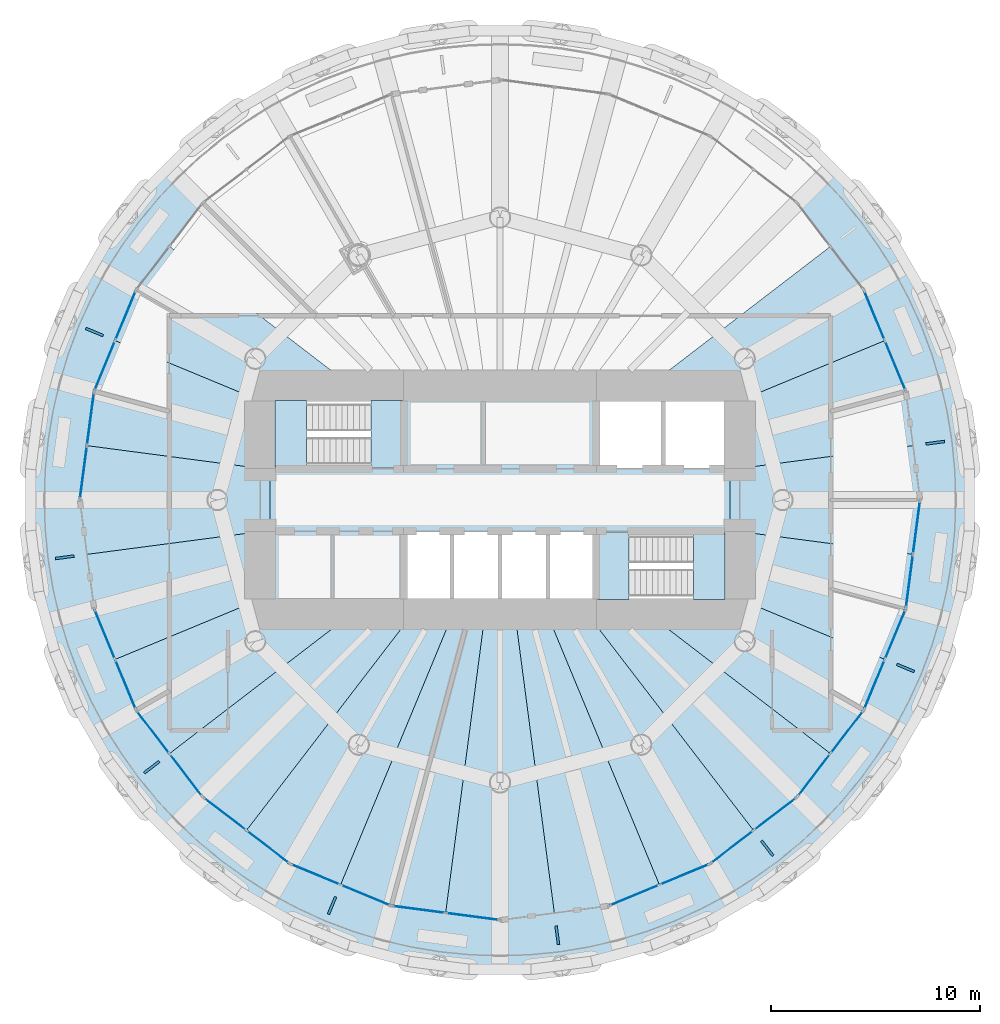
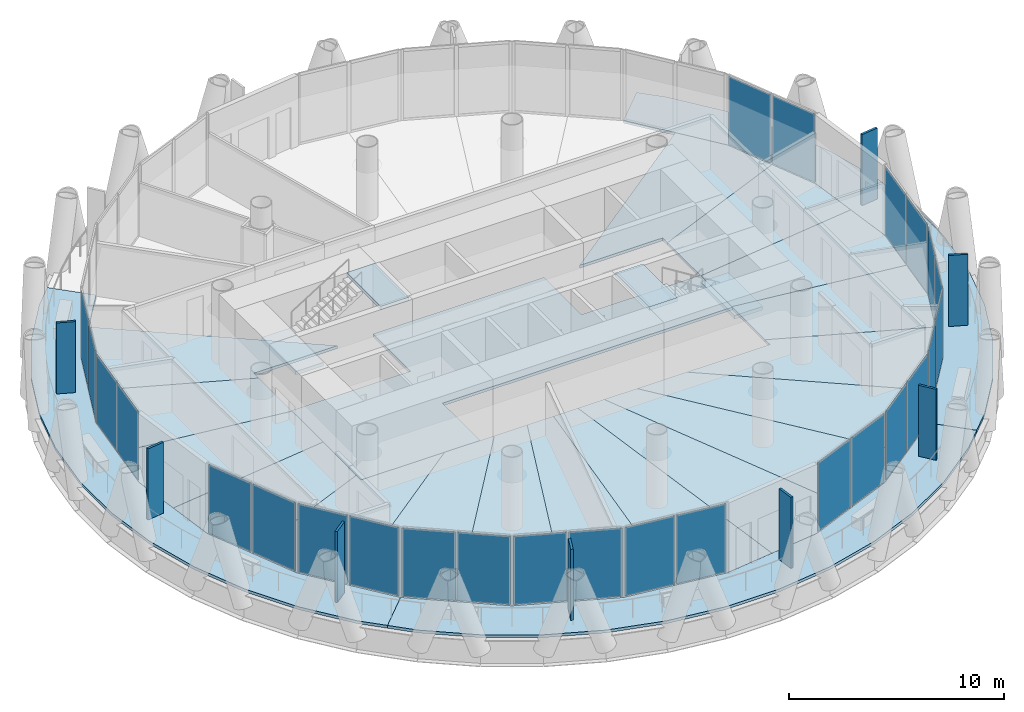
# One storey, part 8 of 15: 34 plates, 25 slabs, 15 elements without a shape of their own.
"""IFC4 building model written with IfcOpenShell, lengths in metres."""

import ifcopenshell
import ifcopenshell.guid

model = None  # the IFC model being written
_history = None  # IfcOwnerHistory: only IFC2X3 demands one
_inside = {}  # id of a spatial element -> (the spatial element, [elements in it])
_under = {}  # id of a project, library or spatial element -> (it, [spatial elements below it])
_declared = {}  # id of a project -> (the project, [libraries it declares])
_typed = {}  # id of a type object -> (the type object, [elements of that type])
_made_of = {}  # id of a material, layer set ... -> (it, [elements and type objects made of it])


def new_model(schema):
    """Start an empty IFC model of exactly this schema.

    Asked for "IFC4X3", IfcOpenShell would pick the latest addendum, in which some entities
    have other attributes; the version numbers below select the first issue.
    IFC2X3 requires an IfcOwnerHistory on every rooted entity: one is made here for all.
    """
    global model, _history
    if schema == "IFC4X3":
        model = ifcopenshell.file(schema_version=(4, 3, 0, 0))
    else:
        model = ifcopenshell.file(schema=schema)
    _inside.clear()
    _under.clear()
    _declared.clear()
    _typed.clear()
    _made_of.clear()
    _history = None
    if model.schema == "IFC2X3":
        org = make("IfcOrganization", Name="unknown")
        user = make(
            "IfcPersonAndOrganization",
            ThePerson=make("IfcPerson", FamilyName="unknown"),
            TheOrganization=org,
        )
        app = make(
            "IfcApplication",
            ApplicationDeveloper=org,
            Version="unknown",
            ApplicationFullName="unknown",
            ApplicationIdentifier="unknown",
        )
        _history = make(
            "IfcOwnerHistory",
            OwningUser=user,
            OwningApplication=app,
            ChangeAction="ADDED",
            CreationDate=0,
        )
    return model


def make(cls, **values):
    """One entity of the class cls with the attributes given. An attribute that is None is left unset."""
    return model.create_entity(
        cls, **{name: value for name, value in values.items() if value is not None}
    )


def rooted(cls, **values):
    """An entity with a GlobalId (a new one), such as an element, a storey or a relation."""
    return make(cls, GlobalId=ifcopenshell.guid.new(), OwnerHistory=_history, **values)


def si_unit(unit_type, name, prefix=None):
    """IfcSIUnit, for example si_unit("LENGTHUNIT", "METRE", prefix="MILLI")."""
    return make("IfcSIUnit", UnitType=unit_type, Prefix=prefix, Name=name)


def assignment(units):
    """IfcUnitAssignment: the units of a project."""
    return None if units is None else make("IfcUnitAssignment", Units=units)


def point(xyz):
    """IfcCartesianPoint."""
    return None if xyz is None else make("IfcCartesianPoint", Coordinates=xyz)


def direction(xyz):
    """IfcDirection."""
    return None if xyz is None else make("IfcDirection", DirectionRatios=xyz)


def frame(location, z_axis=None, x_axis=None):
    """IfcAxis2Placement3D, a coordinate frame: its origin and axes. An axis left out is left unset."""
    return make(
        "IfcAxis2Placement3D",
        Location=point(location),
        Axis=direction(z_axis),
        RefDirection=direction(x_axis),
    )


def frame_2d(location, x_axis=None):
    """IfcAxis2Placement2D, a coordinate frame in the plane: its origin and x axis."""
    return make(
        "IfcAxis2Placement2D", Location=point(location), RefDirection=direction(x_axis)
    )


def origin():
    """The frame at (0, 0, 0) with its axes left unset."""
    return frame((0.0, 0.0, 0.0))


def origin_2d():
    """The frame at (0, 0) in the plane with its x axis left unset."""
    return frame_2d((0.0, 0.0))


def place(relative_to, where):
    """IfcLocalPlacement: puts the frame where relative to a parent placement (None: the world)."""
    return make(
        "IfcLocalPlacement", PlacementRelTo=relative_to, RelativePlacement=where
    )


def context(
    kind, dimensions, precision=None, world=None, true_north=None, identifier=None
):
    """IfcGeometricRepresentationContext, for example the 3D "Model" context."""
    return make(
        "IfcGeometricRepresentationContext",
        ContextIdentifier=identifier,
        ContextType=kind,
        CoordinateSpaceDimension=dimensions,
        Precision=precision,
        WorldCoordinateSystem=world,
        TrueNorth=true_north,
    )


def subcontext(parent, identifier, kind, view, scale=None):
    """IfcGeometricRepresentationSubContext, for example "Body" below "Model"."""
    return make(
        "IfcGeometricRepresentationSubContext",
        ContextIdentifier=identifier,
        ContextType=kind,
        ParentContext=parent,
        TargetScale=scale,
        TargetView=view,
    )


def project(units=None, contexts=None):
    """IfcProject with its units and contexts."""
    return rooted(
        "IfcProject",
        Name="project",
        RepresentationContexts=contexts,
        UnitsInContext=assignment(units),
    )


def spatial(cls, under=None, at=None, **own):
    """A site, building, storey or space (cls), placed at a placement, below another one or the project."""
    s = rooted(cls, ObjectPlacement=at, **own)
    if under is not None:
        _under.setdefault(under.id(), (under, []))[1].append(s)
    return s


def polyline(points):
    """IfcPolyline through the points."""
    return make("IfcPolyline", Points=[point(p) for p in points])


def profile(cls, at=None, kind="AREA", **sizes):
    """A parametric profile (cls). Its sizes go by their IFC names, for example OverallWidth=200.0."""
    return make(cls, ProfileType=kind, Position=at, **sizes)


def rectangle(**sizes):
    """IfcRectangleProfileDef."""
    return profile("IfcRectangleProfileDef", **sizes)


def outline(outer, holes=None, kind="AREA"):
    """IfcArbitraryClosedProfileDef: a profile drawn as a closed curve; with holes, ...WithVoids."""
    if holes is None:
        return make("IfcArbitraryClosedProfileDef", ProfileType=kind, OuterCurve=outer)
    return make(
        "IfcArbitraryProfileDefWithVoids",
        ProfileType=kind,
        OuterCurve=outer,
        InnerCurves=holes,
    )


def extrude(swept, where, along, depth):
    """IfcExtrudedAreaSolid: the profile swept, set in the frame where, extruded along a direction by depth."""
    return make(
        "IfcExtrudedAreaSolid",
        SweptArea=swept,
        Position=where,
        ExtrudedDirection=direction(along),
        Depth=depth,
    )


def shape(context_of_items, identifier, shape_type, items):
    """IfcShapeRepresentation: the items that make up one representation, for example the "Body"."""
    return make(
        "IfcShapeRepresentation",
        ContextOfItems=context_of_items,
        RepresentationIdentifier=identifier,
        RepresentationType=shape_type,
        Items=items,
    )


def material(Name=None, Category=None):
    """IfcMaterial."""
    return make("IfcMaterial", Name=Name, Category=Category)


def layer(
    of_material, thickness, ventilated=None, Name=None, Category=None, Priority=None
):
    """IfcMaterialLayer: one layer of a wall or slab, of a material (None: an air gap)."""
    return make(
        "IfcMaterialLayer",
        Material=of_material,
        LayerThickness=thickness,
        IsVentilated=ventilated,
        Name=Name,
        Category=Category,
        Priority=Priority,
    )


def layer_set(layers, Name=None):
    """IfcMaterialLayerSet."""
    return make("IfcMaterialLayerSet", MaterialLayers=layers, LayerSetName=Name)


def made_of(thing, what):
    """Note that an element or type object is made of a material, layer set ...; save() writes the relation."""
    if what is not None:
        _made_of.setdefault(what.id(), (what, []))[1].append(thing)
    return thing


def type_object(cls, material=None, **own):
    """A type object (cls), such as IfcWallType, which elements share."""
    return made_of(rooted(cls, **own), material)


def element(
    cls,
    number,
    at=None,
    inside=None,
    cuts=None,
    type_object=None,
    material=None,
    context=None,
    identifier="Body",
    shape_type=None,
    held_by="IfcProductDefinitionShape",
    body=None,
    shapes=None,
    **own,
):
    """One element of the class cls, such as IfcWall. Its Tag is "e" and its number.

    at: its placement. inside: the storey or other place that contains it. cuts: it is an
    opening in that element (IfcRelVoidsElement). A single representation is given by context,
    identifier, shape_type and body (its items); several are given by shapes. held_by: the class
    of the entity that holds the representations. save() writes the other relations.
    """
    e = rooted(cls, Tag="e%d" % number, ObjectPlacement=at, **own)
    if body is not None:
        shapes = [shape(context, identifier, shape_type, body)]
    if shapes is not None:
        e.Representation = make(held_by, Representations=shapes)
    if inside is not None:
        _inside.setdefault(inside.id(), (inside, []))[1].append(e)
    if cuts is not None:
        rooted(
            "IfcRelVoidsElement", RelatingBuildingElement=cuts, RelatedOpeningElement=e
        )
    if type_object is not None:
        _typed.setdefault(type_object.id(), (type_object, []))[1].append(e)
    return made_of(e, material)


def aggregate(whole, parts):
    """IfcRelAggregates: a whole, such as a stair, and the parts it consists of."""
    return rooted("IfcRelAggregates", RelatingObject=whole, RelatedObjects=parts)


def save(model, path):
    """Write the relations noted so far, then the file.

    IfcRelAggregates (storeys below a building ...), IfcRelContainedInSpatialStructure (elements
    in a storey), IfcRelDefinesByType, IfcRelAssociatesMaterial and IfcRelDeclares: one each for
    every whole, place, type object, material and project.
    """
    for whole, parts in _under.values():
        aggregate(whole, parts)
    for where, things in _inside.values():
        rooted(
            "IfcRelContainedInSpatialStructure",
            RelatedElements=things,
            RelatingStructure=where,
        )
    for kind, things in _typed.values():
        rooted("IfcRelDefinesByType", RelatedObjects=things, RelatingType=kind)
    for what, things in _made_of.values():
        rooted("IfcRelAssociatesMaterial", RelatedObjects=things, RelatingMaterial=what)
    for by, libraries in _declared.values():
        rooted("IfcRelDeclares", RelatingContext=by, RelatedDefinitions=libraries)
    model.write(path)


model = new_model("IFC4")

# Units and contexts
model_context = context("Model", 3, precision=1e-05, world=origin(), true_north=direction((0.0, 1.0)))
body_context = subcontext(model_context, "Body", "Model", "MODEL_VIEW")
ifc_project = project(units=[si_unit("LENGTHUNIT", "METRE"), si_unit("AREAUNIT", "SQUARE_METRE"), si_unit("VOLUMEUNIT", "CUBIC_METRE"), si_unit("PLANEANGLEUNIT", "RADIAN"), si_unit("MASSUNIT", "GRAM", prefix="KILO")], contexts=[model_context])

# Site, building, storey
site_placement = place(None, origin())
site = spatial("IfcSite", under=ifc_project, at=site_placement, CompositionType="ELEMENT")
building_placement = place(site_placement, origin())
building = spatial("IfcBuilding", under=site, at=building_placement, Name="Qaws Media Tower", CompositionType="ELEMENT")
storey_placement = place(building_placement, frame((0.0, 0.0, 231.800048828125)))
storey = spatial("IfcBuildingStorey", under=building, at=storey_placement, Name="L53", CompositionType="ELEMENT", Elevation=231.800048828125)

# Slabs
ifc_material_1 = material(Name="Concrete C35/45", Category="concrete")
ifc_layer_1 = layer(ifc_material_1, 0.159912109375)
ifc_layer_set_1 = layer_set([ifc_layer_1], Name="Composite balcony slab 160")
slab_type_1 = type_object("IfcSlabType", Name="Composite balcony slab 160", PredefinedType="FLOOR", material=ifc_layer_set_1)
slab_1_placement = place(storey_placement, frame((0.0, 0.0, -0.16015625)))
element("IfcSlab", 1, at=slab_1_placement, inside=storey, type_object=slab_type_1, Name="S2 balcony slab L53 R10 to R16, movement joints on R10 and R16", PredefinedType="FLOOR", context=body_context, shape_type="SweptSolid", body=[
    extrude(outline(polyline([(43.102294921875, 35.18115234375), (41.312744140625, 37.513671875), (39.8427734375, 40.0595703125), (38.7177734375, 42.775634765625), (37.956787109375, 45.615234375), (37.572998046875, 48.530029296875), (37.572998046875, 51.469970703125), (37.956787109375, 54.384765625), (38.7177734375, 57.224365234375), (39.8427734375, 59.9404296875), (41.312744140625, 62.486328125), (43.102294921875, 64.81884765625), (44.141845703125, 65.858154296875), (45.8046875, 64.1953125), (42.614501953125, 60.03759765625), (40.60888671875, 55.19580078125), (39.925048828125, 50.0), (40.60888671875, 44.80419921875), (42.614501953125, 39.96240234375), (45.8046875, 35.8046875), (44.141845703125, 34.141845703125), (43.102294921875, 35.18115234375)])), origin(), (0.0, 0.0, 1.0), 0.16015625),
])
slab_2_placement = place(storey_placement, frame((0.0, 0.0, -0.16015625)))
element("IfcSlab", 2, at=slab_2_placement, inside=storey, type_object=slab_type_1, Name="S2 balcony slab L53 R16 to R22, movement joints on R16 and R22", PredefinedType="FLOOR", context=body_context, shape_type="SweptSolid", body=[
    extrude(outline(polyline([(74.81884765625, 33.102294921875), (72.486328125, 31.312744140625), (69.9404296875, 29.8427734375), (67.224365234375, 28.7177734375), (64.384765625, 27.956787109375), (61.469970703125, 27.572998046875), (58.530029296875, 27.572998046875), (55.615234375, 27.956787109375), (52.775634765625, 28.7177734375), (50.0595703125, 29.8427734375), (47.513671875, 31.312744140625), (45.18115234375, 33.102294921875), (44.141845703125, 34.141845703125), (45.8046875, 35.8046875), (49.96240234375, 32.614501953125), (54.80419921875, 30.60888671875), (60.0, 29.925048828125), (65.19580078125, 30.60888671875), (70.03759765625, 32.614501953125), (74.1953125, 35.8046875), (75.858154296875, 34.141845703125), (74.81884765625, 33.102294921875)])), origin(), (0.0, 0.0, 1.0), 0.16015625),
])
slab_3_placement = place(storey_placement, frame((0.0, 0.0, -0.16015625)))
element("IfcSlab", 3, at=slab_3_placement, inside=storey, type_object=slab_type_1, Name="S2 balcony slab L53 R22 to R04, movement joints on R22 and R04", PredefinedType="FLOOR", context=body_context, shape_type="SweptSolid", body=[
    extrude(outline(polyline([(82.043212890625, 45.615234375), (81.2822265625, 42.775634765625), (80.1572265625, 40.0595703125), (78.687255859375, 37.513671875), (76.897705078125, 35.18115234375), (75.858154296875, 34.141845703125), (74.1953125, 35.8046875), (77.385498046875, 39.96240234375), (79.39111328125, 44.80419921875), (80.074951171875, 50.0), (79.39111328125, 55.19580078125), (77.385498046875, 60.03759765625), (74.1953125, 64.1953125), (75.858154296875, 65.858154296875), (76.897705078125, 64.81884765625), (78.687255859375, 62.486328125), (80.1572265625, 59.9404296875), (81.2822265625, 57.224365234375), (82.043212890625, 54.384765625), (82.427001953125, 51.469970703125), (82.427001953125, 48.530029296875), (82.043212890625, 45.615234375)])), origin(), (0.0, 0.0, 1.0), 0.16015625),
])
ifc_material_2 = material(Name="Concrete C35/45", Category="concrete")
ifc_layer_2 = layer(ifc_material_2, 0.159912109375)
ifc_layer_set_2 = layer_set([ifc_layer_2], Name="Composite floor slab 160")
slab_type_2 = type_object("IfcSlabType", Name="Composite floor slab 160", PredefinedType="FLOOR", material=ifc_layer_set_2)
slab_4_placement = place(storey_placement, frame((0.0, 0.0, -0.16015625)))
element("IfcSlab", 4, at=slab_4_placement, inside=storey, type_object=slab_type_2, Name="S1 core floor slab L53", PredefinedType="FLOOR", context=body_context, shape_type="SweptSolid", body=[
    extrude(outline(polyline([(71.0, 51.5), (71.0, 48.5), (55.39990234375, 48.5), (55.39990234375, 45.0), (49.0, 45.0), (49.0, 51.5), (55.39990234375, 51.5), (55.39990234375, 55.0), (64.60009765625, 55.0), (64.60009765625, 51.5), (71.0, 51.5)])), origin(), (0.0, 0.0, 1.0), 0.16015625),
])
slab_5_placement = place(storey_placement, frame((0.0, 0.0, -0.16015625)))
element("IfcSlab", 5, at=slab_5_placement, inside=storey, type_object=slab_type_2, Name="S1 floor panel L53 on R01", PredefinedType="FLOOR", context=body_context, shape_type="SweptSolid", body=[
    extrude(outline(polyline([(80.074951171875, 50.0), (79.73291015625, 47.402099609375), (71.0, 48.5517578125), (71.0, 51.4482421875), (79.73291015625, 52.597900390625), (80.074951171875, 50.0)])), origin(), (0.0, 0.0, 1.0), 0.16015625),
])
slab_6_placement = place(storey_placement, frame((0.0, 0.0, -0.16015625)))
element("IfcSlab", 6, at=slab_6_placement, inside=storey, type_object=slab_type_2, Name="S1 floor panel L53 on R02", PredefinedType="FLOOR", context=body_context, shape_type="SweptSolid", body=[
    extrude(outline(polyline([(79.39111328125, 55.19580078125), (79.73291015625, 52.597900390625), (71.0, 51.4482421875), (71.0, 54.556396484375), (78.38818359375, 57.61669921875), (79.39111328125, 55.19580078125)])), origin(), (0.0, 0.0, 1.0), 0.16015625),
])
slab_7_placement = place(storey_placement, frame((0.0, 0.0, -0.16015625)))
element("IfcSlab", 7, at=slab_7_placement, inside=storey, type_object=slab_type_2, Name="S1 floor panel L53 on R03", PredefinedType="FLOOR", context=body_context, shape_type="SweptSolid", body=[
    extrude(outline(polyline([(77.385498046875, 60.03759765625), (78.38818359375, 57.61669921875), (71.0, 54.556396484375), (71.0, 55.0), (66.51611328125, 55.0), (75.790283203125, 62.1162109375), (77.385498046875, 60.03759765625)])), origin(), (0.0, 0.0, 1.0), 0.16015625),
])
slab_8_placement = place(storey_placement, frame((0.0, 0.0, -0.16015625)))
element("IfcSlab", 8, at=slab_8_placement, inside=storey, type_object=slab_type_2, Name="S1 floor panel L53 on R11", PredefinedType="FLOOR", context=body_context, shape_type="SweptSolid", body=[
    extrude(outline(polyline([(42.614501953125, 60.03759765625), (44.209716796875, 62.1162109375), (53.48388671875, 55.0), (49.0, 55.0), (49.0, 54.556396484375), (41.61181640625, 57.61669921875), (42.614501953125, 60.03759765625)])), origin(), (0.0, 0.0, 1.0), 0.16015625),
])
slab_9_placement = place(storey_placement, frame((0.0, 0.0, -0.16015625)))
element("IfcSlab", 9, at=slab_9_placement, inside=storey, type_object=slab_type_2, Name="S1 floor panel L53 on R12", PredefinedType="FLOOR", context=body_context, shape_type="SweptSolid", body=[
    extrude(outline(polyline([(40.60888671875, 55.19580078125), (41.61181640625, 57.61669921875), (49.0, 54.556396484375), (49.0, 51.4482421875), (40.26708984375, 52.597900390625), (40.60888671875, 55.19580078125)])), origin(), (0.0, 0.0, 1.0), 0.16015625),
])
slab_10_placement = place(storey_placement, frame((0.0, 0.0, -0.16015625)))
element("IfcSlab", 10, at=slab_10_placement, inside=storey, type_object=slab_type_2, Name="S1 floor panel L53 on R13", PredefinedType="FLOOR", context=body_context, shape_type="SweptSolid", body=[
    extrude(outline(polyline([(39.925048828125, 50.0), (40.26708984375, 52.597900390625), (49.0, 51.4482421875), (49.0, 48.5517578125), (40.26708984375, 47.402099609375), (39.925048828125, 50.0)])), origin(), (0.0, 0.0, 1.0), 0.16015625),
])
slab_11_placement = place(storey_placement, frame((0.0, 0.0, -0.16015625)))
element("IfcSlab", 11, at=slab_11_placement, inside=storey, type_object=slab_type_2, Name="S1 floor panel L53 on R14", PredefinedType="FLOOR", context=body_context, shape_type="SweptSolid", body=[
    extrude(outline(polyline([(40.60888671875, 44.80419921875), (40.26708984375, 47.402099609375), (49.0, 48.5517578125), (49.0, 45.443603515625), (41.61181640625, 42.38330078125), (40.60888671875, 44.80419921875)])), origin(), (0.0, 0.0, 1.0), 0.16015625),
])
slab_12_placement = place(storey_placement, frame((0.0, 0.0, -0.16015625)))
element("IfcSlab", 12, at=slab_12_placement, inside=storey, type_object=slab_type_2, Name="S1 floor panel L53 on R15", PredefinedType="FLOOR", context=body_context, shape_type="SweptSolid", body=[
    extrude(outline(polyline([(42.614501953125, 39.96240234375), (41.61181640625, 42.38330078125), (49.0, 45.443603515625), (49.0, 45.0), (53.48388671875, 45.0), (44.209716796875, 37.8837890625), (42.614501953125, 39.96240234375)])), origin(), (0.0, 0.0, 1.0), 0.16015625),
])
slab_13_placement = place(storey_placement, frame((0.0, 0.0, -0.16015625)))
element("IfcSlab", 13, at=slab_13_placement, inside=storey, type_object=slab_type_2, Name="S1 floor panel L53 on R16", PredefinedType="FLOOR", context=body_context, shape_type="SweptSolid", body=[
    extrude(outline(polyline([(45.8046875, 35.8046875), (44.209716796875, 37.8837890625), (53.48388671875, 45.0), (56.163330078125, 45.0), (47.8837890625, 34.209716796875), (45.8046875, 35.8046875)])), origin(), (0.0, 0.0, 1.0), 0.16015625),
])
slab_14_placement = place(storey_placement, frame((0.0, 0.0, -0.16015625)))
element("IfcSlab", 14, at=slab_14_placement, inside=storey, type_object=slab_type_2, Name="S1 floor panel L53 on R17", PredefinedType="FLOOR", context=body_context, shape_type="SweptSolid", body=[
    extrude(outline(polyline([(49.96240234375, 32.614501953125), (47.8837890625, 34.209716796875), (56.163330078125, 45.0), (57.928955078125, 45.0), (52.38330078125, 31.61181640625), (49.96240234375, 32.614501953125)])), origin(), (0.0, 0.0, 1.0), 0.16015625),
])
slab_15_placement = place(storey_placement, frame((0.0, 0.0, -0.16015625)))
element("IfcSlab", 15, at=slab_15_placement, inside=storey, type_object=slab_type_2, Name="S1 floor panel L53 on R18", PredefinedType="FLOOR", context=body_context, shape_type="SweptSolid", body=[
    extrude(outline(polyline([(54.80419921875, 30.60888671875), (52.38330078125, 31.61181640625), (57.928955078125, 45.0), (59.341796875, 45.0), (57.402099609375, 30.26708984375), (54.80419921875, 30.60888671875)])), origin(), (0.0, 0.0, 1.0), 0.16015625),
])
slab_16_placement = place(storey_placement, frame((0.0, 0.0, -0.16015625)))
element("IfcSlab", 16, at=slab_16_placement, inside=storey, type_object=slab_type_2, Name="S1 floor panel L53 on R19", PredefinedType="FLOOR", context=body_context, shape_type="SweptSolid", body=[
    extrude(outline(polyline([(60.0, 29.925048828125), (57.402099609375, 30.26708984375), (59.341796875, 45.0), (60.658203125, 45.0), (62.597900390625, 30.26708984375), (60.0, 29.925048828125)])), origin(), (0.0, 0.0, 1.0), 0.16015625),
])
slab_17_placement = place(storey_placement, frame((0.0, 0.0, -0.16015625)))
element("IfcSlab", 17, at=slab_17_placement, inside=storey, type_object=slab_type_2, Name="S1 floor panel L53 on R20", PredefinedType="FLOOR", context=body_context, shape_type="SweptSolid", body=[
    extrude(outline(polyline([(65.19580078125, 30.60888671875), (62.597900390625, 30.26708984375), (60.658203125, 45.0), (62.071044921875, 45.0), (67.61669921875, 31.61181640625), (65.19580078125, 30.60888671875)])), origin(), (0.0, 0.0, 1.0), 0.16015625),
])
slab_18_placement = place(storey_placement, frame((0.0, 0.0, -0.16015625)))
element("IfcSlab", 18, at=slab_18_placement, inside=storey, type_object=slab_type_2, Name="S1 floor panel L53 on R21", PredefinedType="FLOOR", context=body_context, shape_type="SweptSolid", body=[
    extrude(outline(polyline([(70.03759765625, 32.614501953125), (67.61669921875, 31.61181640625), (62.071044921875, 45.0), (63.836669921875, 45.0), (72.1162109375, 34.209716796875), (70.03759765625, 32.614501953125)])), origin(), (0.0, 0.0, 1.0), 0.16015625),
])
slab_19_placement = place(storey_placement, frame((0.0, 0.0, -0.16015625)))
element("IfcSlab", 19, at=slab_19_placement, inside=storey, type_object=slab_type_2, Name="S1 floor panel L53 on R22", PredefinedType="FLOOR", context=body_context, shape_type="SweptSolid", body=[
    extrude(outline(polyline([(74.1953125, 35.8046875), (72.1162109375, 34.209716796875), (63.836669921875, 45.0), (66.51611328125, 45.0), (75.790283203125, 37.8837890625), (74.1953125, 35.8046875)])), origin(), (0.0, 0.0, 1.0), 0.16015625),
])
slab_20_placement = place(storey_placement, frame((0.0, 0.0, -0.16015625)))
element("IfcSlab", 20, at=slab_20_placement, inside=storey, type_object=slab_type_2, Name="S1 floor panel L53 on R23", PredefinedType="FLOOR", context=body_context, shape_type="SweptSolid", body=[
    extrude(outline(polyline([(77.385498046875, 39.96240234375), (75.790283203125, 37.8837890625), (66.51611328125, 45.0), (71.0, 45.0), (71.0, 45.443603515625), (78.38818359375, 42.38330078125), (77.385498046875, 39.96240234375)])), origin(), (0.0, 0.0, 1.0), 0.16015625),
])
slab_21_placement = place(storey_placement, frame((0.0, 0.0, -0.16015625)))
element("IfcSlab", 21, at=slab_21_placement, inside=storey, type_object=slab_type_2, Name="S1 floor panel L53 on R24", PredefinedType="FLOOR", context=body_context, shape_type="SweptSolid", body=[
    extrude(outline(polyline([(78.38818359375, 42.38330078125), (71.0, 45.443603515625), (71.0, 48.5517578125), (79.73291015625, 47.402099609375), (79.39111328125, 44.80419921875), (78.38818359375, 42.38330078125)])), origin(), (0.0, 0.0, 1.0), 0.16015625),
])

# Curtain wall, plates
ifc_material_3 = material(Name="Aluminium and clear glass", Category="aluminium")
curtain_wall_type = type_object("IfcCurtainWallType", Name="Unitised curtain wall CW-C", PredefinedType="NOTDEFINED", material=ifc_material_3)
curtain_wall_1_placement = place(storey_placement, origin())
curtain_wall_1 = element("IfcCurtainWall", 22, at=curtain_wall_1_placement, inside=storey, type_object=curtain_wall_type, Name="CWC curtain wall L53-02", PredefinedType="NOTDEFINED")
ifc_material_4 = material(Name="Clear laminated double glazing", Category="glass")
ifc_layer_3 = layer(ifc_material_4, 0.031982421875)
ifc_layer_set_3 = layer_set([ifc_layer_3], Name="Curtain wall glass unit 32")
plate_type_1 = type_object("IfcPlateType", Name="Curtain wall glass unit 32", PredefinedType="CURTAIN_PANEL", material=ifc_layer_set_3)
plate_1_placement = place(storey_placement, frame((78.8818359375, 56.4248046875, 0.080078125), z_axis=(0.0, 0.0, 1.0), x_axis=(-0.382683413048, 0.923879540513, 0.0)))
plate_1 = element("IfcPlate", 23, at=plate_1_placement, type_object=plate_type_1, Name="CWC panel 1.1", PredefinedType="CURTAIN_PANEL", context=body_context, shape_type="SweptSolid", body=[
    extrude(rectangle(XDim=2.500244140625, YDim=0.031982421875, at=origin_2d()), origin(), (0.0, 0.0, 1.0), 3.8798828125),
])
plate_2_placement = place(storey_placement, frame((77.89453125, 58.80859375, 0.080078125), z_axis=(0.0, 0.0, 1.0), x_axis=(-0.382683413048, 0.923879540513, 0.0)))
plate_2 = element("IfcPlate", 24, at=plate_2_placement, type_object=plate_type_1, Name="CWC panel 2.1", PredefinedType="CURTAIN_PANEL", context=body_context, shape_type="SweptSolid", body=[
    extrude(rectangle(XDim=2.500244140625, YDim=0.031982421875, at=origin_2d()), origin(), (0.0, 0.0, 1.0), 3.8798828125),
])
aggregate(curtain_wall_1, [plate_1, plate_2])

curtain_wall_2_placement = place(storey_placement, origin())
curtain_wall_2 = element("IfcCurtainWall", 25, at=curtain_wall_2_placement, inside=storey, type_object=curtain_wall_type, Name="CWC curtain wall L53-11", PredefinedType="NOTDEFINED")
plate_3_placement = place(storey_placement, frame((42.10546875, 58.80859375, 0.080078125), z_axis=(0.0, 0.0, 1.0), x_axis=(-0.382683413048, -0.923879540513, 0.0)))
plate_3 = element("IfcPlate", 26, at=plate_3_placement, type_object=plate_type_1, Name="CWC panel 1.1", PredefinedType="CURTAIN_PANEL", context=body_context, shape_type="SweptSolid", body=[
    extrude(rectangle(XDim=2.500244140625, YDim=0.031982421875, at=origin_2d()), origin(), (0.0, 0.0, 1.0), 3.8798828125),
])
plate_4_placement = place(storey_placement, frame((41.1181640625, 56.4248046875, 0.080078125), z_axis=(0.0, 0.0, 1.0), x_axis=(-0.382683413048, -0.923879540513, 0.0)))
plate_4 = element("IfcPlate", 27, at=plate_4_placement, type_object=plate_type_1, Name="CWC panel 2.1", PredefinedType="CURTAIN_PANEL", context=body_context, shape_type="SweptSolid", body=[
    extrude(rectangle(XDim=2.500244140625, YDim=0.031982421875, at=origin_2d()), origin(), (0.0, 0.0, 1.0), 3.8798828125),
])
aggregate(curtain_wall_2, [plate_3, plate_4])

curtain_wall_3_placement = place(storey_placement, origin())
curtain_wall_3 = element("IfcCurtainWall", 28, at=curtain_wall_3_placement, inside=storey, type_object=curtain_wall_type, Name="CWC curtain wall L53-12", PredefinedType="NOTDEFINED")
plate_5_placement = place(storey_placement, frame((40.435302734375, 53.876953125, 0.080078125), z_axis=(0.0, 0.0, 1.0), x_axis=(-0.130526193397, -0.991444861219, 0.0)))
plate_5 = element("IfcPlate", 29, at=plate_5_placement, type_object=plate_type_1, Name="CWC panel 1.1", PredefinedType="CURTAIN_PANEL", context=body_context, shape_type="SweptSolid", body=[
    extrude(rectangle(XDim=2.500244140625, YDim=0.031982421875, at=origin_2d()), origin(), (0.0, 0.0, 1.0), 3.8798828125),
])
plate_6_placement = place(storey_placement, frame((40.0986328125, 51.31884765625, 0.080078125), z_axis=(0.0, 0.0, 1.0), x_axis=(-0.130526193397, -0.991444861219, 0.0)))
plate_6 = element("IfcPlate", 30, at=plate_6_placement, type_object=plate_type_1, Name="CWC panel 2.1", PredefinedType="CURTAIN_PANEL", context=body_context, shape_type="SweptSolid", body=[
    extrude(rectangle(XDim=2.500244140625, YDim=0.031982421875, at=origin_2d()), origin(), (0.0, 0.0, 1.0), 3.8798828125),
])
aggregate(curtain_wall_3, [plate_5, plate_6])

curtain_wall_4_placement = place(storey_placement, origin())
curtain_wall_4 = element("IfcCurtainWall", 31, at=curtain_wall_4_placement, inside=storey, type_object=curtain_wall_type, Name="CWC curtain wall L53-14", PredefinedType="NOTDEFINED")
plate_7_placement = place(storey_placement, frame((41.1181640625, 43.5751953125, 0.080078125), z_axis=(0.0, 0.0, 1.0), x_axis=(0.382683413048, -0.923879540513, 0.0)))
plate_7 = element("IfcPlate", 32, at=plate_7_placement, type_object=plate_type_1, Name="CWC panel 1.1", PredefinedType="CURTAIN_PANEL", context=body_context, shape_type="SweptSolid", body=[
    extrude(rectangle(XDim=2.500244140625, YDim=0.031982421875, at=origin_2d()), origin(), (0.0, 0.0, 1.0), 3.8798828125),
])
plate_8_placement = place(storey_placement, frame((42.10546875, 41.19140625, 0.080078125), z_axis=(0.0, 0.0, 1.0), x_axis=(0.382683413048, -0.923879540513, 0.0)))
plate_8 = element("IfcPlate", 33, at=plate_8_placement, type_object=plate_type_1, Name="CWC panel 2.1", PredefinedType="CURTAIN_PANEL", context=body_context, shape_type="SweptSolid", body=[
    extrude(rectangle(XDim=2.500244140625, YDim=0.031982421875, at=origin_2d()), origin(), (0.0, 0.0, 1.0), 3.8798828125),
])
aggregate(curtain_wall_4, [plate_7, plate_8])

curtain_wall_5_placement = place(storey_placement, origin())
curtain_wall_5 = element("IfcCurtainWall", 34, at=curtain_wall_5_placement, inside=storey, type_object=curtain_wall_type, Name="CWC curtain wall L53-15", PredefinedType="NOTDEFINED")
plate_9_placement = place(storey_placement, frame((43.42431640625, 38.9072265625, 0.080078125), z_axis=(0.0, 0.0, 1.0), x_axis=(0.608761353254, -0.79335339842, 0.0)))
plate_9 = element("IfcPlate", 35, at=plate_9_placement, type_object=plate_type_1, Name="CWC panel 1.1", PredefinedType="CURTAIN_PANEL", context=body_context, shape_type="SweptSolid", body=[
    extrude(rectangle(XDim=2.500244140625, YDim=0.031982421875, at=origin_2d()), origin(), (0.0, 0.0, 1.0), 3.8798828125),
])
plate_10_placement = place(storey_placement, frame((44.9951171875, 36.860107421875, 0.080078125), z_axis=(0.0, 0.0, 1.0), x_axis=(0.608761353254, -0.79335339842, 0.0)))
plate_10 = element("IfcPlate", 36, at=plate_10_placement, type_object=plate_type_1, Name="CWC panel 2.1", PredefinedType="CURTAIN_PANEL", context=body_context, shape_type="SweptSolid", body=[
    extrude(rectangle(XDim=2.500244140625, YDim=0.031982421875, at=origin_2d()), origin(), (0.0, 0.0, 1.0), 3.8798828125),
])
aggregate(curtain_wall_5, [plate_9, plate_10])

curtain_wall_6_placement = place(storey_placement, origin())
curtain_wall_6 = element("IfcCurtainWall", 37, at=curtain_wall_6_placement, inside=storey, type_object=curtain_wall_type, Name="CWC curtain wall L53-16", PredefinedType="NOTDEFINED")
plate_11_placement = place(storey_placement, frame((46.860107421875, 34.9951171875, 0.080078125), z_axis=(0.0, 0.0, 1.0), x_axis=(0.79335339842, -0.608761353254, 0.0)))
plate_11 = element("IfcPlate", 38, at=plate_11_placement, type_object=plate_type_1, Name="CWC panel 1.1", PredefinedType="CURTAIN_PANEL", context=body_context, shape_type="SweptSolid", body=[
    extrude(rectangle(XDim=2.500244140625, YDim=0.031982421875, at=origin_2d()), origin(), (0.0, 0.0, 1.0), 3.8798828125),
])
plate_12_placement = place(storey_placement, frame((48.9072265625, 33.42431640625, 0.080078125), z_axis=(0.0, 0.0, 1.0), x_axis=(0.79335339842, -0.608761353254, 0.0)))
plate_12 = element("IfcPlate", 39, at=plate_12_placement, type_object=plate_type_1, Name="CWC panel 2.1", PredefinedType="CURTAIN_PANEL", context=body_context, shape_type="SweptSolid", body=[
    extrude(rectangle(XDim=2.500244140625, YDim=0.031982421875, at=origin_2d()), origin(), (0.0, 0.0, 1.0), 3.8798828125),
])
aggregate(curtain_wall_6, [plate_11, plate_12])

curtain_wall_7_placement = place(storey_placement, origin())
curtain_wall_7 = element("IfcCurtainWall", 40, at=curtain_wall_7_placement, inside=storey, type_object=curtain_wall_type, Name="CWC curtain wall L53-17", PredefinedType="NOTDEFINED")
plate_13_placement = place(storey_placement, frame((51.19140625, 32.10546875, 0.080078125), z_axis=(0.0, 0.0, 1.0), x_axis=(0.923879540513, -0.382683413048, 0.0)))
plate_13 = element("IfcPlate", 41, at=plate_13_placement, type_object=plate_type_1, Name="CWC panel 1.1", PredefinedType="CURTAIN_PANEL", context=body_context, shape_type="SweptSolid", body=[
    extrude(rectangle(XDim=2.500244140625, YDim=0.031982421875, at=origin_2d()), origin(), (0.0, 0.0, 1.0), 3.8798828125),
])
plate_14_placement = place(storey_placement, frame((53.5751953125, 31.1181640625, 0.080078125), z_axis=(0.0, 0.0, 1.0), x_axis=(0.923879540513, -0.382683413048, 0.0)))
plate_14 = element("IfcPlate", 42, at=plate_14_placement, type_object=plate_type_1, Name="CWC panel 2.1", PredefinedType="CURTAIN_PANEL", context=body_context, shape_type="SweptSolid", body=[
    extrude(rectangle(XDim=2.500244140625, YDim=0.031982421875, at=origin_2d()), origin(), (0.0, 0.0, 1.0), 3.8798828125),
])
aggregate(curtain_wall_7, [plate_13, plate_14])

curtain_wall_8_placement = place(storey_placement, origin())
curtain_wall_8 = element("IfcCurtainWall", 43, at=curtain_wall_8_placement, inside=storey, type_object=curtain_wall_type, Name="CWC curtain wall L53-18", PredefinedType="NOTDEFINED")
plate_15_placement = place(storey_placement, frame((56.123046875, 30.435302734375, 0.080078125), z_axis=(0.0, 0.0, 1.0), x_axis=(0.991444861219, -0.130526193397, 0.0)))
plate_15 = element("IfcPlate", 44, at=plate_15_placement, type_object=plate_type_1, Name="CWC panel 1.1", PredefinedType="CURTAIN_PANEL", context=body_context, shape_type="SweptSolid", body=[
    extrude(rectangle(XDim=2.500244140625, YDim=0.031982421875, at=origin_2d()), origin(), (0.0, 0.0, 1.0), 3.8798828125),
])
plate_16_placement = place(storey_placement, frame((58.68115234375, 30.0986328125, 0.080078125), z_axis=(0.0, 0.0, 1.0), x_axis=(0.991444861219, -0.130526193397, 0.0)))
plate_16 = element("IfcPlate", 45, at=plate_16_placement, type_object=plate_type_1, Name="CWC panel 2.1", PredefinedType="CURTAIN_PANEL", context=body_context, shape_type="SweptSolid", body=[
    extrude(rectangle(XDim=2.500244140625, YDim=0.031982421875, at=origin_2d()), origin(), (0.0, 0.0, 1.0), 3.8798828125),
])
aggregate(curtain_wall_8, [plate_15, plate_16])

curtain_wall_9_placement = place(storey_placement, origin())
curtain_wall_9 = element("IfcCurtainWall", 46, at=curtain_wall_9_placement, inside=storey, type_object=curtain_wall_type, Name="CWC curtain wall L53-20", PredefinedType="NOTDEFINED")
plate_17_placement = place(storey_placement, frame((66.4248046875, 31.1181640625, 0.080078125), z_axis=(0.0, 0.0, 1.0), x_axis=(0.923879540513, 0.382683413048, 0.0)))
plate_17 = element("IfcPlate", 47, at=plate_17_placement, type_object=plate_type_1, Name="CWC panel 1.1", PredefinedType="CURTAIN_PANEL", context=body_context, shape_type="SweptSolid", body=[
    extrude(rectangle(XDim=2.500244140625, YDim=0.031982421875, at=origin_2d()), origin(), (0.0, 0.0, 1.0), 3.8798828125),
])
plate_18_placement = place(storey_placement, frame((68.80859375, 32.10546875, 0.080078125), z_axis=(0.0, 0.0, 1.0), x_axis=(0.923879540513, 0.382683413048, 0.0)))
plate_18 = element("IfcPlate", 48, at=plate_18_placement, type_object=plate_type_1, Name="CWC panel 2.1", PredefinedType="CURTAIN_PANEL", context=body_context, shape_type="SweptSolid", body=[
    extrude(rectangle(XDim=2.500244140625, YDim=0.031982421875, at=origin_2d()), origin(), (0.0, 0.0, 1.0), 3.8798828125),
])
aggregate(curtain_wall_9, [plate_17, plate_18])

curtain_wall_10_placement = place(storey_placement, origin())
curtain_wall_10 = element("IfcCurtainWall", 49, at=curtain_wall_10_placement, inside=storey, type_object=curtain_wall_type, Name="CWC curtain wall L53-21", PredefinedType="NOTDEFINED")
plate_19_placement = place(storey_placement, frame((71.0927734375, 33.42431640625, 0.080078125), z_axis=(0.0, 0.0, 1.0), x_axis=(0.79335339842, 0.608761353254, 0.0)))
plate_19 = element("IfcPlate", 50, at=plate_19_placement, type_object=plate_type_1, Name="CWC panel 1.1", PredefinedType="CURTAIN_PANEL", context=body_context, shape_type="SweptSolid", body=[
    extrude(rectangle(XDim=2.500244140625, YDim=0.031982421875, at=origin_2d()), origin(), (0.0, 0.0, 1.0), 3.8798828125),
])
plate_20_placement = place(storey_placement, frame((73.139892578125, 34.9951171875, 0.080078125), z_axis=(0.0, 0.0, 1.0), x_axis=(0.79335339842, 0.608761353254, 0.0)))
plate_20 = element("IfcPlate", 51, at=plate_20_placement, type_object=plate_type_1, Name="CWC panel 2.1", PredefinedType="CURTAIN_PANEL", context=body_context, shape_type="SweptSolid", body=[
    extrude(rectangle(XDim=2.500244140625, YDim=0.031982421875, at=origin_2d()), origin(), (0.0, 0.0, 1.0), 3.8798828125),
])
aggregate(curtain_wall_10, [plate_19, plate_20])

curtain_wall_11_placement = place(storey_placement, origin())
curtain_wall_11 = element("IfcCurtainWall", 52, at=curtain_wall_11_placement, inside=storey, type_object=curtain_wall_type, Name="CWC curtain wall L53-22", PredefinedType="NOTDEFINED")
plate_21_placement = place(storey_placement, frame((75.0048828125, 36.860107421875, 0.080078125), z_axis=(0.0, 0.0, 1.0), x_axis=(0.608761353254, 0.79335339842, 0.0)))
plate_21 = element("IfcPlate", 53, at=plate_21_placement, type_object=plate_type_1, Name="CWC panel 1.1", PredefinedType="CURTAIN_PANEL", context=body_context, shape_type="SweptSolid", body=[
    extrude(rectangle(XDim=2.500244140625, YDim=0.031982421875, at=origin_2d()), origin(), (0.0, 0.0, 1.0), 3.8798828125),
])
plate_22_placement = place(storey_placement, frame((76.57568359375, 38.9072265625, 0.080078125), z_axis=(0.0, 0.0, 1.0), x_axis=(0.608761353254, 0.79335339842, 0.0)))
plate_22 = element("IfcPlate", 54, at=plate_22_placement, type_object=plate_type_1, Name="CWC panel 2.1", PredefinedType="CURTAIN_PANEL", context=body_context, shape_type="SweptSolid", body=[
    extrude(rectangle(XDim=2.500244140625, YDim=0.031982421875, at=origin_2d()), origin(), (0.0, 0.0, 1.0), 3.8798828125),
])
aggregate(curtain_wall_11, [plate_21, plate_22])

curtain_wall_12_placement = place(storey_placement, origin())
curtain_wall_12 = element("IfcCurtainWall", 55, at=curtain_wall_12_placement, inside=storey, type_object=curtain_wall_type, Name="CWC curtain wall L53-23", PredefinedType="NOTDEFINED")
plate_23_placement = place(storey_placement, frame((77.89453125, 41.19140625, 0.080078125), z_axis=(0.0, 0.0, 1.0), x_axis=(0.382683413048, 0.923879540513, 0.0)))
plate_23 = element("IfcPlate", 56, at=plate_23_placement, type_object=plate_type_1, Name="CWC panel 1.1", PredefinedType="CURTAIN_PANEL", context=body_context, shape_type="SweptSolid", body=[
    extrude(rectangle(XDim=2.500244140625, YDim=0.031982421875, at=origin_2d()), origin(), (0.0, 0.0, 1.0), 3.8798828125),
])
plate_24_placement = place(storey_placement, frame((78.8818359375, 43.5751953125, 0.080078125), z_axis=(0.0, 0.0, 1.0), x_axis=(0.382683413048, 0.923879540513, 0.0)))
plate_24 = element("IfcPlate", 57, at=plate_24_placement, type_object=plate_type_1, Name="CWC panel 2.1", PredefinedType="CURTAIN_PANEL", context=body_context, shape_type="SweptSolid", body=[
    extrude(rectangle(XDim=2.500244140625, YDim=0.031982421875, at=origin_2d()), origin(), (0.0, 0.0, 1.0), 3.8798828125),
])
aggregate(curtain_wall_12, [plate_23, plate_24])

curtain_wall_13_placement = place(storey_placement, origin())
curtain_wall_13 = element("IfcCurtainWall", 58, at=curtain_wall_13_placement, inside=storey, type_object=curtain_wall_type, Name="CWC curtain wall L53-24", PredefinedType="NOTDEFINED")
plate_25_placement = place(storey_placement, frame((79.564697265625, 46.123046875, 0.080078125), z_axis=(0.0, 0.0, 1.0), x_axis=(0.130526193397, 0.991444861219, 0.0)))
plate_25 = element("IfcPlate", 59, at=plate_25_placement, type_object=plate_type_1, Name="CWC panel 1.1", PredefinedType="CURTAIN_PANEL", context=body_context, shape_type="SweptSolid", body=[
    extrude(rectangle(XDim=2.500244140625, YDim=0.031982421875, at=origin_2d()), origin(), (0.0, 0.0, 1.0), 3.8798828125),
])
plate_26_placement = place(storey_placement, frame((79.9013671875, 48.68115234375, 0.080078125), z_axis=(0.0, 0.0, 1.0), x_axis=(0.130526193397, 0.991444861219, 0.0)))
plate_26 = element("IfcPlate", 60, at=plate_26_placement, type_object=plate_type_1, Name="CWC panel 2.1", PredefinedType="CURTAIN_PANEL", context=body_context, shape_type="SweptSolid", body=[
    extrude(rectangle(XDim=2.500244140625, YDim=0.031982421875, at=origin_2d()), origin(), (0.0, 0.0, 1.0), 3.8798828125),
])
aggregate(curtain_wall_13, [plate_25, plate_26])

# Plates
ifc_material_5 = material(Name="Precast concrete screen fin", Category="concrete")
ifc_layer_4 = layer(ifc_material_5, 0.1201171875)
ifc_layer_set_4 = layer_set([ifc_layer_4], Name="Screen fin 120x900")
plate_type_2 = type_object("IfcPlateType", Name="Screen fin 120x900", PredefinedType="USERDEFINED", material=ifc_layer_set_4)
for number, where, z_axis, x_axis, name in (
    (61, (80.795654296875, 52.73779296875, 0.0), (0.0, 0.0, 1.0), (0.991444861374, 0.13052619222, 0.0), "SCR1 screen fin L53-01"),
    (62, (40.62158203125, 58.02685546875, 0.0), (0.0, 0.0, 1.0), (-0.923879532511, 0.382683432365, 0.0), "SCR1 screen fin L53-06"),
    (63, (39.204345703125, 47.26220703125, 0.0), (0.0, 0.0, 1.0), (-0.991444861374, -0.13052619222, 0.0), "SCR1 screen fin L53-07"),
    (64, (43.359375, 37.231201171875, 0.0), (0.0, 0.0, 1.0), (-0.793353340291, -0.608761429009, 0.0), "SCR1 screen fin L53-08"),
    (65, (51.97314453125, 30.62158203125, 0.0), (0.0, 0.0, 1.0), (-0.382683432365, -0.923879532511, 0.0), "SCR1 screen fin L53-09"),
    (66, (62.73779296875, 29.204345703125, 0.0), (0.0, 0.0, 1.0), (0.13052619222, -0.991444861374, 0.0), "SCR1 screen fin L53-10"),
    (67, (72.768798828125, 33.359375, 0.0), (0.0, 0.0, 1.0), (0.608761429009, -0.793353340291, 0.0), "SCR1 screen fin L53-11"),
    (68, (79.37841796875, 41.97314453125, 0.0), (0.0, 0.0, 1.0), (0.923879532511, -0.382683432365, 0.0), "SCR1 screen fin L53-12"),
):
    element("IfcPlate", number, at=place(storey_placement, frame(where, z_axis=z_axis, x_axis=x_axis)), inside=storey, type_object=plate_type_2, Name=name, ObjectType="SCREEN", PredefinedType="USERDEFINED", context=body_context, shape_type="SweptSolid", body=[
        extrude(rectangle(XDim=0.89990234375, YDim=0.1201171875, at=origin_2d()), origin(), (0.0, 0.0, 1.0), 4.0400390625),
    ])

# Stair, slabs
ifc_material_6 = material(Name="Concrete C40/50", Category="concrete")
stair_type = type_object("IfcStairType", Name="Exit stair", PredefinedType="HALF_TURN_STAIR", material=ifc_material_6)
stair_1_placement = place(storey_placement, origin())
stair_1 = element("IfcStair", 69, at=stair_1_placement, inside=storey, type_object=stair_type, Name="S1 exit stair L53", PredefinedType="HALF_TURN_STAIR")
ifc_material_7 = material(Name="Concrete C40/50", Category="concrete")
ifc_layer_5 = layer(ifc_material_7, 0.199951171875)
ifc_layer_set_5 = layer_set([ifc_layer_5], Name="Stair landing 200")
slab_type_3 = type_object("IfcSlabType", Name="Stair landing 200", PredefinedType="LANDING", material=ifc_layer_set_5)
slab_22_placement = place(storey_placement, frame((0.0, 0.0, 1.89990234375)))
slab_22 = element("IfcSlab", 70, at=slab_22_placement, type_object=slab_type_3, Name="S1 landing 1", PredefinedType="LANDING", context=body_context, shape_type="SweptSolid", body=[
    extrude(outline(polyline([(49.25, 51.550048828125), (50.760009765625, 51.550048828125), (50.760009765625, 54.75), (49.25, 54.75), (49.25, 51.550048828125)])), origin(), (0.0, 0.0, 1.0), 0.199951171875),
])
slab_23_placement = place(storey_placement, frame((0.0, 0.0, 4.0)))
slab_23 = element("IfcSlab", 71, at=slab_23_placement, type_object=slab_type_3, Name="S1 landing 2", PredefinedType="LANDING", context=body_context, shape_type="SweptSolid", body=[
    extrude(outline(polyline([(53.840087890625, 51.550048828125), (55.35009765625, 51.550048828125), (55.35009765625, 54.75), (53.840087890625, 54.75), (53.840087890625, 51.550048828125)])), origin(), (0.0, 0.0, 1.0), 0.199951171875),
])
aggregate(stair_1, [slab_22, slab_23])

stair_2_placement = place(storey_placement, origin())
stair_2 = element("IfcStair", 72, at=stair_2_placement, inside=storey, type_object=stair_type, Name="S2 exit stair L53", PredefinedType="HALF_TURN_STAIR")
slab_24_placement = place(storey_placement, frame((0.0, 0.0, 1.89990234375)))
slab_24 = element("IfcSlab", 73, at=slab_24_placement, type_object=slab_type_3, Name="S2 landing 1", PredefinedType="LANDING", context=body_context, shape_type="SweptSolid", body=[
    extrude(outline(polyline([(69.239990234375, 45.25), (70.75, 45.25), (70.75, 48.449951171875), (69.239990234375, 48.449951171875), (69.239990234375, 45.25)])), origin(), (0.0, 0.0, 1.0), 0.199951171875),
])
slab_25_placement = place(storey_placement, frame((0.0, 0.0, 4.0)))
slab_25 = element("IfcSlab", 74, at=slab_25_placement, type_object=slab_type_3, Name="S2 landing 2", PredefinedType="LANDING", context=body_context, shape_type="SweptSolid", body=[
    extrude(outline(polyline([(64.64990234375, 45.25), (66.159912109375, 45.25), (66.159912109375, 48.449951171875), (64.64990234375, 48.449951171875), (64.64990234375, 45.25)])), origin(), (0.0, 0.0, 1.0), 0.199951171875),
])
aggregate(stair_2, [slab_24, slab_25])

save(model, "model.ifc")
